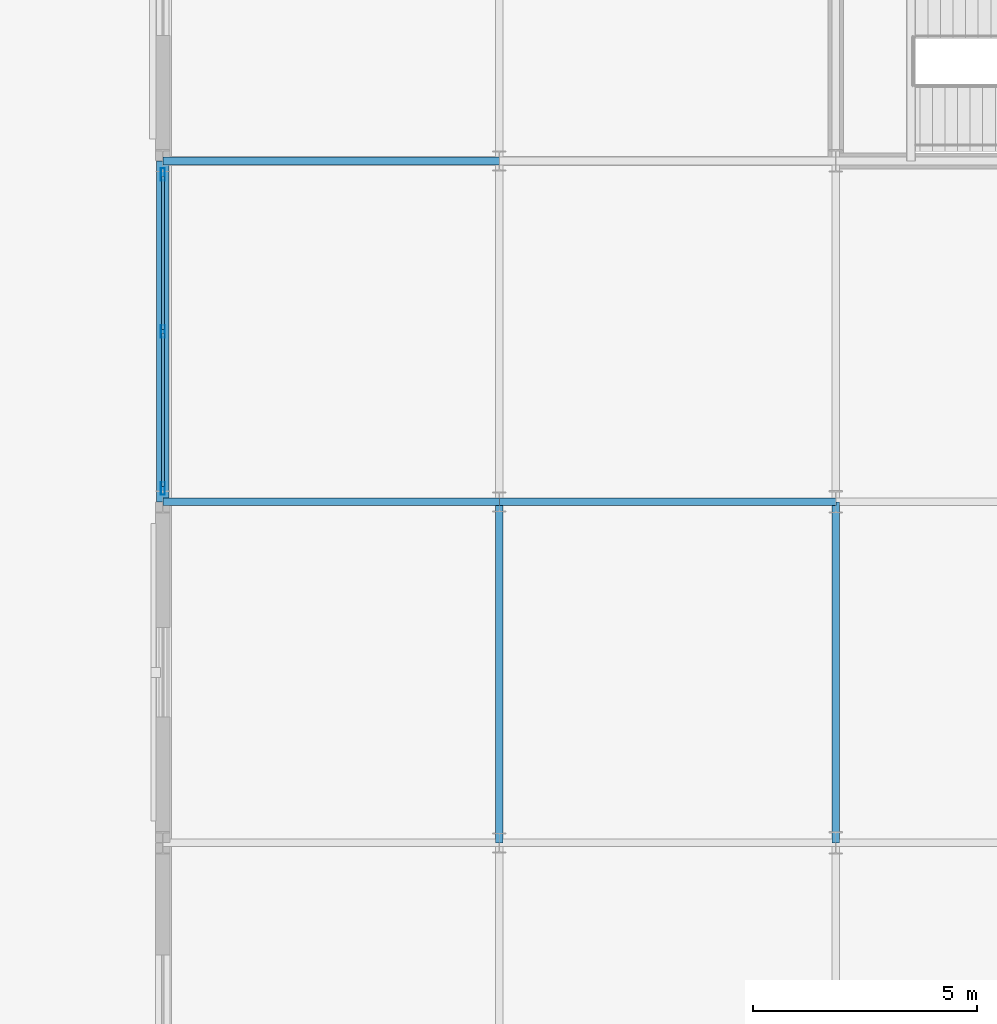
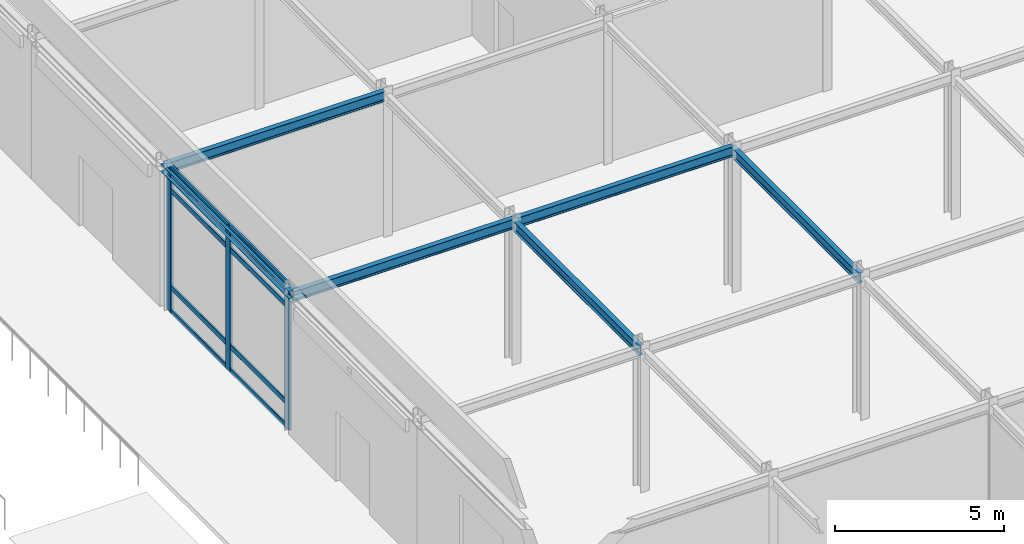
# One storey, part 29 of 89: 11 members, 6 beams, 1 element without a shape of its own.
"""IFC4 building model written with IfcOpenShell, lengths in metres."""

from ifc_helpers import new_model, si_unit, direction, frame, origin, origin_2d, place, context, subcontext, project, spatial, hollow_rectangle, i_section, extrude, material, layer, layer_set, material_profile, profile_set, type_object, element, aggregate, save


model = new_model("IFC4")

# Units and contexts
model_context = context("Model", 3, precision=1e-05, world=origin(), true_north=direction((0.0, 1.0)))
body_context = subcontext(model_context, "Body", "Model", "MODEL_VIEW")
ifc_project = project(units=[si_unit("LENGTHUNIT", "METRE"), si_unit("AREAUNIT", "SQUARE_METRE"), si_unit("VOLUMEUNIT", "CUBIC_METRE"), si_unit("PLANEANGLEUNIT", "RADIAN"), si_unit("MASSUNIT", "GRAM", prefix="KILO")], contexts=[model_context])

# Site, building, storey
site_placement = place(None, origin())
site = spatial("IfcSite", under=ifc_project, at=site_placement, CompositionType="ELEMENT")
building_placement = place(site_placement, origin())
building = spatial("IfcBuilding", under=site, at=building_placement, Name="Shalkamar Park Central Library", CompositionType="ELEMENT")
storey_placement = place(building_placement, origin())
storey = spatial("IfcBuildingStorey", under=building, at=storey_placement, Name="L01", CompositionType="ELEMENT", Elevation=0.0)

# Curtain wall, members
ifc_material_1 = material(Name="Thermally broken aluminium and triple low-e curtain wall", Category="aluminium")
ifc_layer = layer(ifc_material_1, 0.280029296875)
ifc_layer_set = layer_set([ifc_layer], Name="UnitisedCurtainWall_17")
curtain_wall_type = type_object("IfcCurtainWallType", Name="Unitised Curtain Wall 17", PredefinedType="USERDEFINED", material=ifc_layer_set)
curtain_wall_placement = place(storey_placement, origin())
curtain_wall = element("IfcCurtainWall", 1, at=curtain_wall_placement, inside=storey, type_object=curtain_wall_type, Name="Unitised Curtain Wall CW-L01-018", ObjectType="UNITISED CURTAIN WALL", PredefinedType="USERDEFINED")
ifc_material_2 = material(Name="Aluminium 6060-T66", Category="aluminium")
ifc_material_profile_1 = material_profile(ifc_material_2, hollow_rectangle(XDim=0.090087890625, YDim=0.280029296875, WallThickness=0.0048828125, InnerFilletRadius=0.0048828125, OuterFilletRadius=0.007568359375, at=origin_2d()), Name="ALU 90x280x5")
ifc_profile_set_1 = profile_set([ifc_material_profile_1], Name="Aluminium 6060-T66")
member_type_1 = type_object("IfcMemberType", Name="Curtain Wall Mullion ALU90x280", PredefinedType="MULLION", material=ifc_profile_set_1)
member_1_placement = place(storey_placement, frame((120.0, 316.299072265625, 0.0), z_axis=(0.0, 0.0, 1.0), x_axis=(-1.0, 0.0, 0.0)))
member_1 = element("IfcMember", 2, at=member_1_placement, type_object=member_type_1, Name="CW-17 mullion 1", PredefinedType="MULLION", context=body_context, shape_type="SweptSolid", body=[
    extrude(hollow_rectangle(XDim=0.090087890625, YDim=0.280029296875, WallThickness=0.0048828125, InnerFilletRadius=0.0048828125, OuterFilletRadius=0.007568359375, at=origin_2d()), origin(), (0.0, 0.0, 1.0), 5.14990234375),
])
member_2_placement = place(storey_placement, frame((120.0, 319.800048828125, 0.0), z_axis=(0.0, 0.0, 1.0), x_axis=(-1.0, 0.0, 0.0)))
member_2 = element("IfcMember", 3, at=member_2_placement, type_object=member_type_1, Name="CW-17 mullion 2", PredefinedType="MULLION", context=body_context, shape_type="SweptSolid", body=[
    extrude(hollow_rectangle(XDim=0.090087890625, YDim=0.280029296875, WallThickness=0.0048828125, InnerFilletRadius=0.0048828125, OuterFilletRadius=0.007568359375, at=origin_2d()), origin(), (0.0, 0.0, 1.0), 5.14990234375),
])
member_3_placement = place(storey_placement, frame((120.0, 323.301025390625, 0.0), z_axis=(0.0, 0.0, 1.0), x_axis=(-1.0, 0.0, 0.0)))
member_3 = element("IfcMember", 4, at=member_3_placement, type_object=member_type_1, Name="CW-17 mullion 3", PredefinedType="MULLION", context=body_context, shape_type="SweptSolid", body=[
    extrude(hollow_rectangle(XDim=0.090087890625, YDim=0.280029296875, WallThickness=0.0048828125, InnerFilletRadius=0.0048828125, OuterFilletRadius=0.007568359375, at=origin_2d()), origin(), (0.0, 0.0, 1.0), 5.14990234375),
])
ifc_material_profile_2 = material_profile(ifc_material_2, hollow_rectangle(XDim=0.070068359375, YDim=0.18994140625, WallThickness=0.0048828125, InnerFilletRadius=0.0048828125, OuterFilletRadius=0.007568359375, at=origin_2d()), Name="ALU 70x190x5")
ifc_profile_set_2 = profile_set([ifc_material_profile_2], Name="Aluminium 6060-T66")
member_type_2 = type_object("IfcMemberType", Name="Curtain Wall Transom ALU70x190", PredefinedType="USERDEFINED", material=ifc_profile_set_2)
member_4_placement = place(storey_placement, frame((120.0, 316.343994140625, 0.034912109375), z_axis=(0.0, 1.0, 0.0), x_axis=(-1.0, 0.0, 0.0)))
member_4 = element("IfcMember", 5, at=member_4_placement, type_object=member_type_2, Name="CW-17 transom 1.1", ObjectType="TRANSOM", PredefinedType="USERDEFINED", context=body_context, shape_type="SweptSolid", body=[
    extrude(hollow_rectangle(XDim=0.070068359375, YDim=0.18994140625, WallThickness=0.0048828125, InnerFilletRadius=0.0048828125, OuterFilletRadius=0.007568359375, at=origin_2d()), origin(), (0.0, 0.0, 1.0), 3.410888671875),
])
member_5_placement = place(storey_placement, frame((120.0, 316.343994140625, 0.89990234375), z_axis=(0.0, 1.0, 0.0), x_axis=(-1.0, 0.0, 0.0)))
member_5 = element("IfcMember", 6, at=member_5_placement, type_object=member_type_2, Name="CW-17 transom 1.2", ObjectType="TRANSOM", PredefinedType="USERDEFINED", context=body_context, shape_type="SweptSolid", body=[
    extrude(hollow_rectangle(XDim=0.070068359375, YDim=0.18994140625, WallThickness=0.0048828125, InnerFilletRadius=0.0048828125, OuterFilletRadius=0.007568359375, at=origin_2d()), origin(), (0.0, 0.0, 1.0), 3.410888671875),
])
member_6_placement = place(storey_placement, frame((120.0, 316.343994140625, 4.39990234375), z_axis=(0.0, 1.0, 0.0), x_axis=(-1.0, 0.0, 0.0)))
member_6 = element("IfcMember", 7, at=member_6_placement, type_object=member_type_2, Name="CW-17 transom 1.3", ObjectType="TRANSOM", PredefinedType="USERDEFINED", context=body_context, shape_type="SweptSolid", body=[
    extrude(hollow_rectangle(XDim=0.070068359375, YDim=0.18994140625, WallThickness=0.0048828125, InnerFilletRadius=0.0048828125, OuterFilletRadius=0.007568359375, at=origin_2d()), origin(), (0.0, 0.0, 1.0), 3.410888671875),
])
member_7_placement = place(storey_placement, frame((120.0, 316.343994140625, 5.114990234375), z_axis=(0.0, 1.0, 0.0), x_axis=(-1.0, 0.0, 0.0)))
member_7 = element("IfcMember", 8, at=member_7_placement, type_object=member_type_2, Name="CW-17 transom 1.4", ObjectType="TRANSOM", PredefinedType="USERDEFINED", context=body_context, shape_type="SweptSolid", body=[
    extrude(hollow_rectangle(XDim=0.070068359375, YDim=0.18994140625, WallThickness=0.0048828125, InnerFilletRadius=0.0048828125, OuterFilletRadius=0.007568359375, at=origin_2d()), origin(), (0.0, 0.0, 1.0), 3.410888671875),
])
member_8_placement = place(storey_placement, frame((120.0, 319.844970703125, 0.034912109375), z_axis=(0.0, 1.0, 0.0), x_axis=(-1.0, 0.0, 0.0)))
member_8 = element("IfcMember", 9, at=member_8_placement, type_object=member_type_2, Name="CW-17 transom 2.1", ObjectType="TRANSOM", PredefinedType="USERDEFINED", context=body_context, shape_type="SweptSolid", body=[
    extrude(hollow_rectangle(XDim=0.070068359375, YDim=0.18994140625, WallThickness=0.0048828125, InnerFilletRadius=0.0048828125, OuterFilletRadius=0.007568359375, at=origin_2d()), origin(), (0.0, 0.0, 1.0), 3.4111328125),
])
member_9_placement = place(storey_placement, frame((120.0, 319.844970703125, 0.89990234375), z_axis=(0.0, 1.0, 0.0), x_axis=(-1.0, 0.0, 0.0)))
member_9 = element("IfcMember", 10, at=member_9_placement, type_object=member_type_2, Name="CW-17 transom 2.2", ObjectType="TRANSOM", PredefinedType="USERDEFINED", context=body_context, shape_type="SweptSolid", body=[
    extrude(hollow_rectangle(XDim=0.070068359375, YDim=0.18994140625, WallThickness=0.0048828125, InnerFilletRadius=0.0048828125, OuterFilletRadius=0.007568359375, at=origin_2d()), origin(), (0.0, 0.0, 1.0), 3.4111328125),
])
member_10_placement = place(storey_placement, frame((120.0, 319.844970703125, 4.39990234375), z_axis=(0.0, 1.0, 0.0), x_axis=(-1.0, 0.0, 0.0)))
member_10 = element("IfcMember", 11, at=member_10_placement, type_object=member_type_2, Name="CW-17 transom 2.3", ObjectType="TRANSOM", PredefinedType="USERDEFINED", context=body_context, shape_type="SweptSolid", body=[
    extrude(hollow_rectangle(XDim=0.070068359375, YDim=0.18994140625, WallThickness=0.0048828125, InnerFilletRadius=0.0048828125, OuterFilletRadius=0.007568359375, at=origin_2d()), origin(), (0.0, 0.0, 1.0), 3.4111328125),
])
member_11_placement = place(storey_placement, frame((120.0, 319.844970703125, 5.114990234375), z_axis=(0.0, 1.0, 0.0), x_axis=(-1.0, 0.0, 0.0)))
member_11 = element("IfcMember", 12, at=member_11_placement, type_object=member_type_2, Name="CW-17 transom 2.4", ObjectType="TRANSOM", PredefinedType="USERDEFINED", context=body_context, shape_type="SweptSolid", body=[
    extrude(hollow_rectangle(XDim=0.070068359375, YDim=0.18994140625, WallThickness=0.0048828125, InnerFilletRadius=0.0048828125, OuterFilletRadius=0.007568359375, at=origin_2d()), origin(), (0.0, 0.0, 1.0), 3.4111328125),
])
aggregate(curtain_wall, [member_1, member_2, member_3, member_4, member_5, member_6, member_7, member_8, member_9, member_10, member_11])

# Beams
ifc_material_3 = material(Name="Steel S355", Category="steel")
ifc_material_profile_3 = material_profile(ifc_material_3, i_section(OverallWidth=0.280029296875, OverallDepth=0.27001953125, WebThickness=0.008056640625, FlangeThickness=0.012939453125, FilletRadius=0.02392578125, at=origin_2d()), Name="HEA 280")
ifc_profile_set_3 = profile_set([ifc_material_profile_3], Name="Steel S355")
beam_type_1 = type_object("IfcBeamType", Name="Perimeter Spandrel Beam HEA280", PredefinedType="SPANDREL", material=ifc_profile_set_3)
beam_placement = place(storey_placement, frame((120.0, 316.0, 5.014892578125), z_axis=(0.0, 1.0, 0.0), x_axis=(-1.0, 0.0, 0.0)))
element("IfcBeam", 13, at=beam_placement, inside=storey, type_object=beam_type_1, Name="Beam 01:L-M (L01)", PredefinedType="SPANDREL", context=body_context, shape_type="SweptSolid", body=[
    extrude(i_section(OverallWidth=0.280029296875, OverallDepth=0.27001953125, WebThickness=0.008056640625, FlangeThickness=0.012939453125, FilletRadius=0.02392578125, at=origin_2d()), origin(), (0.0, 0.0, 1.0), 7.60009765625),
])
ifc_material_profile_4 = material_profile(ifc_material_3, i_section(OverallWidth=0.169921875, OverallDepth=0.360107421875, WebThickness=0.008056640625, FlangeThickness=0.0126953125, FilletRadius=0.01806640625, at=origin_2d()), Name="IPE 360")
ifc_profile_set_4 = profile_set([ifc_material_profile_4], Name="Steel S355")
beam_type_2 = type_object("IfcBeamType", Name="Primary Girder IPE360", PredefinedType="BEAM", material=ifc_profile_set_4)
for number, where, z_axis, x_axis, name in (
    (14, (120.0, 316.0, 4.969970703125), (1.0, 0.0, 0.0), (0.0, 1.0, 0.0), "Beam L:01-02 (L01)"),
    (15, (127.5, 316.0, 4.9599609375), (1.0, 0.0, 0.0), (0.0, 1.0, 0.0), "Beam L:02-03 (L01)"),
    (16, (120.0, 323.60009765625, 4.969970703125), (1.0, 0.0, 0.0), (0.0, 1.0, 0.0), "Beam M:01-02 (L01)"),
):
    element("IfcBeam", number, at=place(storey_placement, frame(where, z_axis=z_axis, x_axis=x_axis)), inside=storey, type_object=beam_type_2, Name=name, PredefinedType="BEAM", context=body_context, shape_type="SweptSolid", body=[
        extrude(i_section(OverallWidth=0.169921875, OverallDepth=0.360107421875, WebThickness=0.008056640625, FlangeThickness=0.0126953125, FilletRadius=0.01806640625, at=origin_2d()), origin(), (0.0, 0.0, 1.0), 7.5),
    ])
for number, where, z_axis, x_axis, name in (
    (17, (127.5, 308.39990234375, 4.969970703125), (0.0, 1.0, 0.0), (-1.0, 0.0, 0.0), "Beam 02:K-L (L01)"),
    (18, (135.0, 308.39990234375, 4.9599609375), (0.0, 1.0, 0.0), (-1.0, 0.0, 0.0), "Beam 03:K-L (L01)"),
):
    element("IfcBeam", number, at=place(storey_placement, frame(where, z_axis=z_axis, x_axis=x_axis)), inside=storey, type_object=beam_type_2, Name=name, PredefinedType="BEAM", context=body_context, shape_type="SweptSolid", body=[
        extrude(i_section(OverallWidth=0.169921875, OverallDepth=0.360107421875, WebThickness=0.008056640625, FlangeThickness=0.0126953125, FilletRadius=0.01806640625, at=origin_2d()), origin(), (0.0, 0.0, 1.0), 7.60009765625),
    ])

save(model, "model.ifc")
